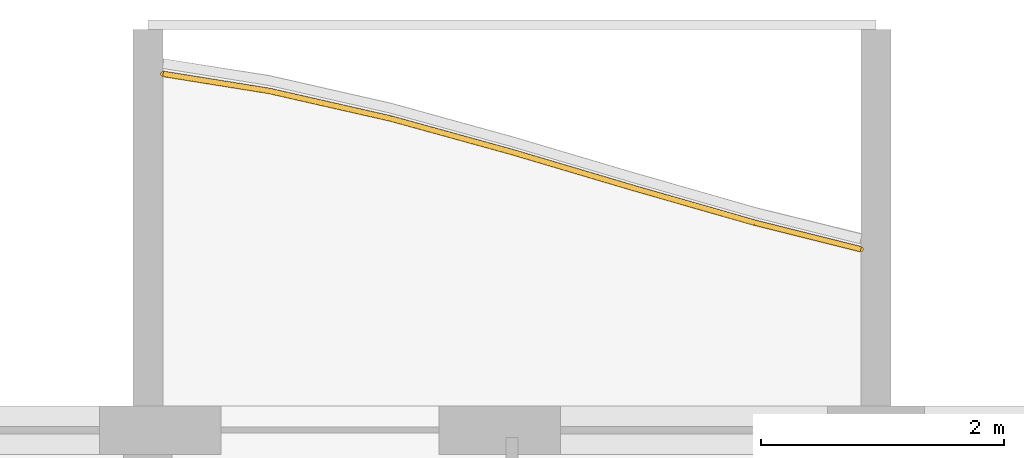
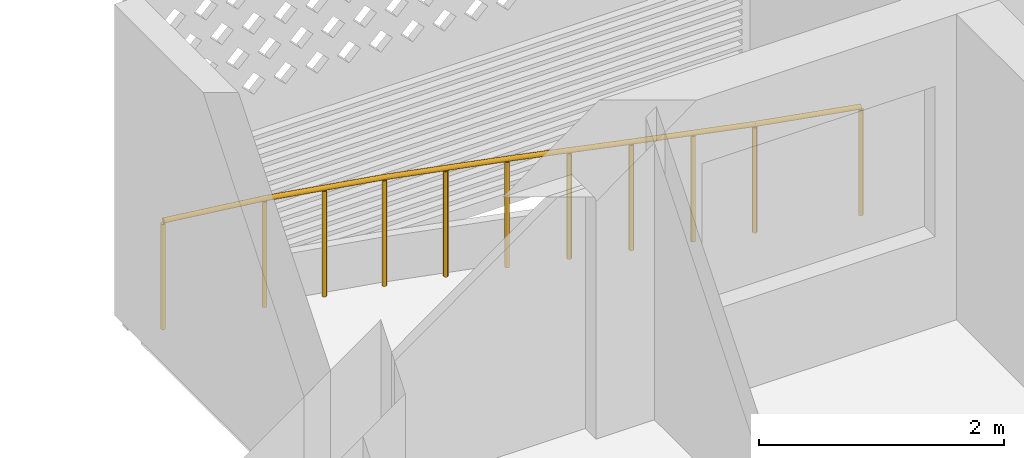
# One storey, part 24 of 44: 1 railing.
"""IFC4 building model written with IfcOpenShell, lengths in metres."""

from ifc_helpers import new_model, si_unit, direction, frame, origin, origin_2d, place, context, subcontext, project, spatial, circle, extrude, material, type_object, element, save


model = new_model("IFC4")

# Units and contexts
model_context = context("Model", 3, precision=1e-05, world=origin(), true_north=direction((0.0, 1.0)))
body_context = subcontext(model_context, "Body", "Model", "MODEL_VIEW")
ifc_project = project(units=[si_unit("LENGTHUNIT", "METRE"), si_unit("AREAUNIT", "SQUARE_METRE"), si_unit("VOLUMEUNIT", "CUBIC_METRE"), si_unit("PLANEANGLEUNIT", "RADIAN"), si_unit("MASSUNIT", "GRAM", prefix="KILO")], contexts=[model_context])

# Site, building, storey
site_placement = place(None, origin())
site = spatial("IfcSite", under=ifc_project, at=site_placement, CompositionType="ELEMENT")
building_placement = place(site_placement, origin())
building = spatial("IfcBuilding", under=site, at=building_placement, Name="Poui Terraces", CompositionType="ELEMENT")
storey_placement = place(building_placement, frame((0.0, 0.0, 30.0)))
storey = spatial("IfcBuildingStorey", under=building, at=storey_placement, Name="L07", CompositionType="ELEMENT", Elevation=30.0)

# Railing
ifc_material = material(Name="Painted steel fretwork", Category="steel")
railing_type = type_object("IfcRailingType", Name="BALCONY GUARD 1100", PredefinedType="GUARDRAIL", material=ifc_material)
railing_placement = place(storey_placement, frame((18.125, 47.73583984375, 0.0)))
element("IfcRailing", 1, at=railing_placement, inside=storey, type_object=railing_type, Name="BALCONY GUARD", PredefinedType="GUARDRAIL", context=body_context, shape_type="SweptSolid", body=[
    extrude(circle(Radius=0.02392578125, at=origin_2d()), frame((0.0, 0.0, 1.076171875), z_axis=(0.987373495895, -0.158409531289, 0.0), x_axis=(0.158409531289, 0.987373495895, 0.0)), (0.0, 0.0, 1.0), 0.88623046875),
    extrude(circle(Radius=0.02392578125, at=origin_2d()), frame((0.875, -0.140380859375, 1.076171875), z_axis=(0.975128178395, -0.221641683127, 0.0), x_axis=(0.221641683127, 0.975128178395, 0.0)), (0.0, 0.0, 1.0), 1.025390625),
    extrude(circle(Radius=0.02392578125, at=origin_2d()), frame((1.875, -0.36767578125, 1.076171875), z_axis=(0.963988457226, -0.265944081217, 0.0), x_axis=(0.265944081217, 0.963988457226, 0.0)), (0.0, 0.0, 1.0), 1.037353515625),
    extrude(circle(Radius=0.02392578125, at=origin_2d()), frame((2.875, -0.6435546875, 1.076171875), z_axis=(0.958774495191, -0.284168026651, 0.0), x_axis=(0.284168026651, 0.958774495191, 0.0)), (0.0, 0.0, 1.0), 1.04296875),
    extrude(circle(Radius=0.02392578125, at=origin_2d()), frame((3.875, -0.93994140625, 1.076171875), z_axis=(0.96141758688, -0.275093118121, 0.0), x_axis=(0.275093118121, 0.96141758688, 0.0)), (0.0, 0.0, 1.0), 1.0400390625),
    extrude(circle(Radius=0.02392578125, at=origin_2d()), frame((4.875, -1.22607421875, 1.076171875), z_axis=(0.970142500145, -0.242535625036, 0.0), x_axis=(0.242535625036, 0.970142500145, 0.0)), (0.0, 0.0, 1.0), 0.90185546875),
    extrude(circle(Radius=0.02099609375, at=origin_2d()), origin(), (0.0, 0.0, 1.0), 1.052001953125),
    extrude(circle(Radius=0.02099609375, at=origin_2d()), frame((0.875, -0.140380859375, 0.0)), (0.0, 0.0, 1.0), 1.052001953125),
    extrude(circle(Radius=0.02099609375, at=origin_2d()), frame((1.375, -0.25390625, 0.0)), (0.0, 0.0, 1.0), 1.052001953125),
    extrude(circle(Radius=0.02099609375, at=origin_2d()), frame((1.875, -0.36767578125, 0.0)), (0.0, 0.0, 1.0), 1.052001953125),
    extrude(circle(Radius=0.02099609375, at=origin_2d()), frame((2.375, -0.505615234375, 0.0)), (0.0, 0.0, 1.0), 1.052001953125),
    extrude(circle(Radius=0.02099609375, at=origin_2d()), frame((2.875, -0.6435546875, 0.0)), (0.0, 0.0, 1.0), 1.052001953125),
    extrude(circle(Radius=0.02099609375, at=origin_2d()), frame((3.375, -0.791748046875, 0.0)), (0.0, 0.0, 1.0), 1.052001953125),
    extrude(circle(Radius=0.02099609375, at=origin_2d()), frame((3.875, -0.93994140625, 0.0)), (0.0, 0.0, 1.0), 1.052001953125),
    extrude(circle(Radius=0.02099609375, at=origin_2d()), frame((4.375, -1.0830078125, 0.0)), (0.0, 0.0, 1.0), 1.052001953125),
    extrude(circle(Radius=0.02099609375, at=origin_2d()), frame((4.875, -1.22607421875, 0.0)), (0.0, 0.0, 1.0), 1.052001953125),
    extrude(circle(Radius=0.02099609375, at=origin_2d()), frame((5.75, -1.44482421875, 0.0)), (0.0, 0.0, 1.0), 1.052001953125),
])

save(model, "model.ifc")
